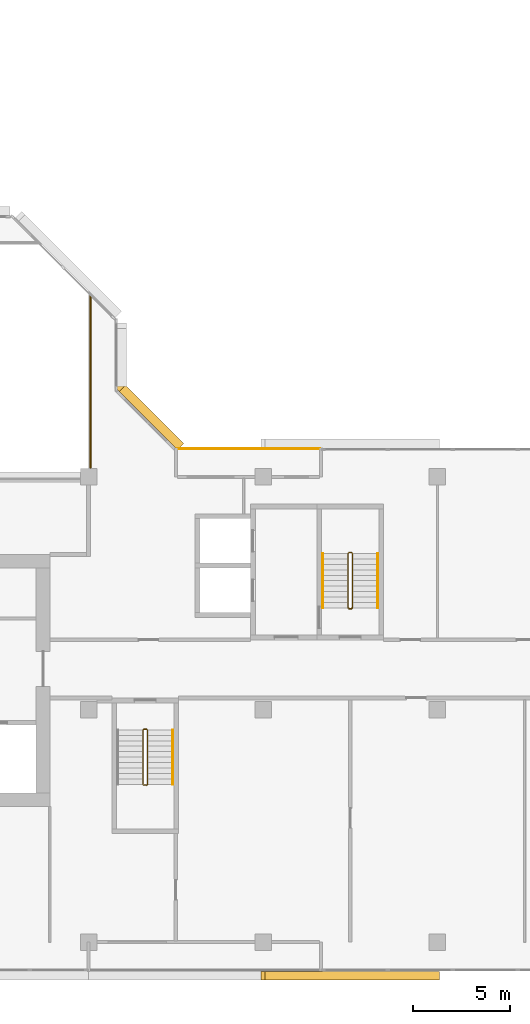
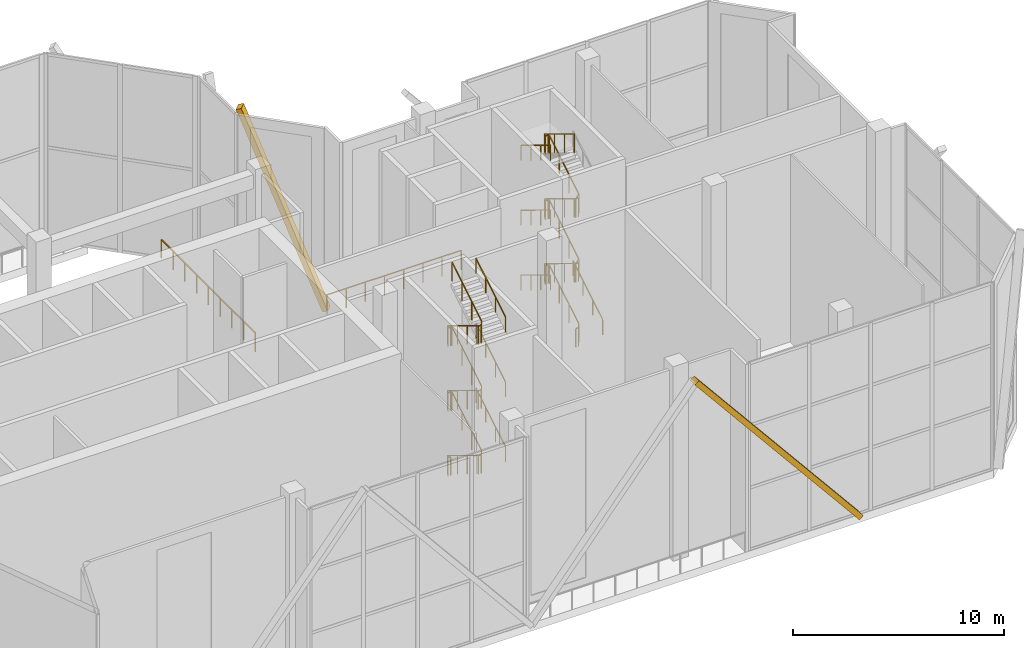
# One storey, part 16 of 18: 11 railings, 2 coverings.
"""IFC4 building model written with IfcOpenShell, lengths in metres."""

from ifc_helpers import new_model, si_unit, direction, frame, origin, origin_2d, place, context, subcontext, project, spatial, rectangle, extrude, material, material_profile, profile_set, type_object, element, save


model = new_model("IFC4")

# Units and contexts
model_context = context("Model", 3, precision=1e-05, world=origin(), true_north=direction((0.0, 1.0)))
body_context = subcontext(model_context, "Body", "Model", "MODEL_VIEW")
ifc_project = project(units=[si_unit("LENGTHUNIT", "METRE"), si_unit("AREAUNIT", "SQUARE_METRE"), si_unit("VOLUMEUNIT", "CUBIC_METRE"), si_unit("PLANEANGLEUNIT", "RADIAN"), si_unit("MASSUNIT", "GRAM", prefix="KILO")], contexts=[model_context])

# Site, building, storey
site_placement = place(None, origin())
site = spatial("IfcSite", under=ifc_project, at=site_placement, CompositionType="ELEMENT")
building_placement = place(site_placement, origin())
building = spatial("IfcBuilding", under=site, at=building_placement, Name="Chenar Terraces", CompositionType="ELEMENT")
storey_placement = place(building_placement, frame((0.0, 0.0, 262.14990234375)))
storey = spatial("IfcBuildingStorey", under=building, at=storey_placement, Name="L62", CompositionType="ELEMENT", Elevation=262.14990234375)

# Railings
ifc_material_1 = material(Name="Powder-coated steel", Category="steel")
railing_type_1 = type_object("IfcRailingType", Name="Guard 1100 steel rail with glass infill", PredefinedType="GUARDRAIL", material=ifc_material_1)
railing_1_placement = place(storey_placement, frame((36.10009765625, 24.47509765625, 0.0)))
element("IfcRailing", 1, at=railing_1_placement, inside=storey, type_object=railing_type_1, Name="Guard L62-3", PredefinedType="GUARDRAIL", context=body_context, shape_type="SweptSolid", body=[
    extrude(rectangle(XDim=0.06005859375, YDim=0.06005859375, at=origin_2d()), frame((0.0, 0.0, 1.070068359375), z_axis=(0.0, 1.0, 0.0), x_axis=(-1.0, 0.0, 0.0)), (0.0, 0.0, 1.0), 8.9248046875),
    extrude(rectangle(XDim=0.050048828125, YDim=0.050048828125, at=origin_2d()), origin(), (0.0, 0.0, 1.0), 1.0400390625),
    extrude(rectangle(XDim=0.050048828125, YDim=0.050048828125, at=origin_2d()), frame((0.0, 1.11572265625, 0.0)), (0.0, 0.0, 1.0), 1.0400390625),
    extrude(rectangle(XDim=0.050048828125, YDim=0.050048828125, at=origin_2d()), frame((0.0, 2.231201171875, 0.0)), (0.0, 0.0, 1.0), 1.0400390625),
    extrude(rectangle(XDim=0.050048828125, YDim=0.050048828125, at=origin_2d()), frame((0.0, 3.3466796875, 0.0)), (0.0, 0.0, 1.0), 1.0400390625),
    extrude(rectangle(XDim=0.050048828125, YDim=0.050048828125, at=origin_2d()), frame((0.0, 4.46240234375, 0.0)), (0.0, 0.0, 1.0), 1.0400390625),
    extrude(rectangle(XDim=0.050048828125, YDim=0.050048828125, at=origin_2d()), frame((0.0, 5.578125, 0.0)), (0.0, 0.0, 1.0), 1.0400390625),
    extrude(rectangle(XDim=0.050048828125, YDim=0.050048828125, at=origin_2d()), frame((0.0, 6.693603515625, 0.0)), (0.0, 0.0, 1.0), 1.0400390625),
    extrude(rectangle(XDim=0.050048828125, YDim=0.050048828125, at=origin_2d()), frame((0.0, 7.80908203125, 0.0)), (0.0, 0.0, 1.0), 1.0400390625),
    extrude(rectangle(XDim=0.050048828125, YDim=0.050048828125, at=origin_2d()), frame((0.0, 8.9248046875, 0.0)), (0.0, 0.0, 1.0), 1.0400390625),
])
ifc_material_2 = material(Name="Stainless steel and glass", Category="steel")
railing_type_2 = type_object("IfcRailingType", Name="Loggia guard 1150", PredefinedType="GUARDRAIL", material=ifc_material_2)
railing_2_placement = place(storey_placement, frame((47.925048828125, 25.449951171875, 0.0)))
element("IfcRailing", 2, at=railing_2_placement, inside=storey, type_object=railing_type_2, Name="Loggia guard", PredefinedType="GUARDRAIL", context=body_context, shape_type="SweptSolid", body=[
    extrude(rectangle(XDim=0.048095703125, YDim=0.048095703125, at=origin_2d()), frame((0.0, 0.0, 1.1259765625), z_axis=(-1.0, 0.0, 0.0), x_axis=(0.0, -1.0, 0.0)), (0.0, 0.0, 1.0), 7.35009765625),
    extrude(rectangle(XDim=0.0419921875, YDim=0.0419921875, at=origin_2d()), origin(), (0.0, 0.0, 1.0), 1.101806640625),
    extrude(rectangle(XDim=0.0419921875, YDim=0.0419921875, at=origin_2d()), frame((-1.050048828125, 0.0, 0.0)), (0.0, 0.0, 1.0), 1.101806640625),
    extrude(rectangle(XDim=0.0419921875, YDim=0.0419921875, at=origin_2d()), frame((-2.10009765625, 0.0, 0.0)), (0.0, 0.0, 1.0), 1.101806640625),
    extrude(rectangle(XDim=0.0419921875, YDim=0.0419921875, at=origin_2d()), frame((-3.150146484375, 0.0, 0.0)), (0.0, 0.0, 1.0), 1.101806640625),
    extrude(rectangle(XDim=0.0419921875, YDim=0.0419921875, at=origin_2d()), frame((-4.199951171875, 0.0, 0.0)), (0.0, 0.0, 1.0), 1.101806640625),
    extrude(rectangle(XDim=0.0419921875, YDim=0.0419921875, at=origin_2d()), frame((-5.25, 0.0, 0.0)), (0.0, 0.0, 1.0), 1.101806640625),
    extrude(rectangle(XDim=0.0419921875, YDim=0.0419921875, at=origin_2d()), frame((-6.300048828125, 0.0, 0.0)), (0.0, 0.0, 1.0), 1.101806640625),
    extrude(rectangle(XDim=0.0419921875, YDim=0.0419921875, at=origin_2d()), frame((-7.35009765625, 0.0, 0.0)), (0.0, 0.0, 1.0), 1.101806640625),
])
ifc_material_3 = material(Name="Powder-coated steel", Category="steel")
railing_type_3 = type_object("IfcRailingType", Name="Stair guard 1100", PredefinedType="GUARDRAIL", material=ifc_material_3)
railing_3_placement = place(storey_placement, frame((39.050048828125, 10.949951171875, 11.25)))
element("IfcRailing", 3, at=railing_3_placement, inside=storey, type_object=railing_type_3, Name="L62 ST2 stair guard 1", PredefinedType="GUARDRAIL", context=body_context, shape_type="SweptSolid", body=[
    extrude(rectangle(XDim=0.048095703125, YDim=0.048095703125, at=origin_2d()), frame((0.0, 0.0, 1.076171875), z_axis=(0.0, -0.854202870247, -0.519939858505), x_axis=(1.0, 0.0, 0.0)), (0.0, 0.0, 1.0), 3.278076171875),
    extrude(rectangle(XDim=0.048095703125, YDim=0.048095703125, at=origin_2d()), frame((0.0, -2.800048828125, -0.62841796875), z_axis=(-0.270996696079, -0.269674760976, -0.924032636873), x_axis=(0.705375805398, -0.708833529934, 0.0)), (0.0, 0.0, 1.0), 0.1845703125),
    extrude(rectangle(XDim=0.048095703125, YDim=0.048095703125, at=origin_2d()), frame((-0.050048828125, -2.849853515625, -0.798828125), z_axis=(-1.0, 0.0, 0.0), x_axis=(0.0, -1.0, 0.0)), (0.0, 0.0, 1.0), 0.14990234375),
    extrude(rectangle(XDim=0.048095703125, YDim=0.048095703125, at=origin_2d()), frame((-0.199951171875, -2.849853515625, -0.798828125), z_axis=(-0.708833529934, 0.705375805398, 0.0), x_axis=(-0.705375805398, -0.708833529934, 0.0)), (0.0, 0.0, 1.0), 0.070556640625),
    extrude(rectangle(XDim=0.048095703125, YDim=0.048095703125, at=origin_2d()), frame((-0.25, -2.800048828125, -0.798828125), z_axis=(0.0, 0.854202870247, -0.519939858505), x_axis=(-1.0, 0.0, 0.0)), (0.0, 0.0, 1.0), 3.278076171875),
    extrude(rectangle(XDim=0.048095703125, YDim=0.048095703125, at=origin_2d()), frame((-0.25, 0.0, -2.50341796875), z_axis=(0.747209590826, 0.187030483662, -0.637728332097), x_axis=(-0.242814311512, 0.970072785993, 0.0)), (0.0, 0.0, 1.0), 0.267578125),
    extrude(rectangle(XDim=0.048095703125, YDim=0.048095703125, at=origin_2d()), frame((-0.050048828125, 0.050048828125, -2.673828125), z_axis=(-1.0, 0.0, 0.0), x_axis=(0.0, -1.0, 0.0)), (0.0, 0.0, 1.0), 0.14990234375),
    extrude(rectangle(XDim=0.048095703125, YDim=0.048095703125, at=origin_2d()), frame((-0.199951171875, 0.050048828125, -2.673828125), z_axis=(0.970072785993, -0.242814311512, 0.0), x_axis=(0.242814311512, 0.970072785993, 0.0)), (0.0, 0.0, 1.0), 0.2060546875),
    extrude(rectangle(XDim=0.048095703125, YDim=0.048095703125, at=origin_2d()), frame((0.0, 0.0, -2.673828125), z_axis=(0.0, -0.854202870247, -0.519939858505), x_axis=(1.0, 0.0, 0.0)), (0.0, 0.0, 1.0), 3.278076171875),
    extrude(rectangle(XDim=0.048095703125, YDim=0.048095703125, at=origin_2d()), frame((0.0, -2.800048828125, -4.37841796875), z_axis=(-0.270996696079, -0.269674760976, -0.924032636873), x_axis=(0.705375805398, -0.708833529934, 0.0)), (0.0, 0.0, 1.0), 0.1845703125),
    extrude(rectangle(XDim=0.048095703125, YDim=0.048095703125, at=origin_2d()), frame((-0.050048828125, -2.849853515625, -4.548828125), z_axis=(-1.0, 0.0, 0.0), x_axis=(0.0, -1.0, 0.0)), (0.0, 0.0, 1.0), 0.14990234375),
    extrude(rectangle(XDim=0.048095703125, YDim=0.048095703125, at=origin_2d()), frame((-0.199951171875, -2.849853515625, -4.548828125), z_axis=(-0.708833529934, 0.705375805398, 0.0), x_axis=(-0.705375805398, -0.708833529934, 0.0)), (0.0, 0.0, 1.0), 0.070556640625),
    extrude(rectangle(XDim=0.048095703125, YDim=0.048095703125, at=origin_2d()), frame((-0.25, -2.800048828125, -4.548828125), z_axis=(0.0, 0.854202870247, -0.519939858505), x_axis=(-1.0, 0.0, 0.0)), (0.0, 0.0, 1.0), 3.278076171875),
    extrude(rectangle(XDim=0.048095703125, YDim=0.048095703125, at=origin_2d()), frame((-0.25, 0.0, -6.25341796875), z_axis=(0.747209590826, 0.187030483662, -0.637728332097), x_axis=(-0.242814311512, 0.970072785993, 0.0)), (0.0, 0.0, 1.0), 0.267578125),
    extrude(rectangle(XDim=0.048095703125, YDim=0.048095703125, at=origin_2d()), frame((-0.050048828125, 0.050048828125, -6.423828125), z_axis=(-1.0, 0.0, 0.0), x_axis=(0.0, -1.0, 0.0)), (0.0, 0.0, 1.0), 0.14990234375),
    extrude(rectangle(XDim=0.048095703125, YDim=0.048095703125, at=origin_2d()), frame((-0.199951171875, 0.050048828125, -6.423828125), z_axis=(0.970072785993, -0.242814311512, 0.0), x_axis=(0.242814311512, 0.970072785993, 0.0)), (0.0, 0.0, 1.0), 0.2060546875),
    extrude(rectangle(XDim=0.048095703125, YDim=0.048095703125, at=origin_2d()), frame((0.0, 0.0, -6.423828125), z_axis=(0.0, -0.854202870247, -0.519939858505), x_axis=(1.0, 0.0, 0.0)), (0.0, 0.0, 1.0), 3.278076171875),
    extrude(rectangle(XDim=0.048095703125, YDim=0.048095703125, at=origin_2d()), frame((0.0, -2.800048828125, -8.12841796875), z_axis=(-0.270996696079, -0.269674760976, -0.924032636873), x_axis=(0.705375805398, -0.708833529934, 0.0)), (0.0, 0.0, 1.0), 0.1845703125),
    extrude(rectangle(XDim=0.048095703125, YDim=0.048095703125, at=origin_2d()), frame((-0.050048828125, -2.849853515625, -8.298828125), z_axis=(-1.0, 0.0, 0.0), x_axis=(0.0, -1.0, 0.0)), (0.0, 0.0, 1.0), 0.14990234375),
    extrude(rectangle(XDim=0.048095703125, YDim=0.048095703125, at=origin_2d()), frame((-0.199951171875, -2.849853515625, -8.298828125), z_axis=(-0.708833529934, 0.705375805398, 0.0), x_axis=(-0.705375805398, -0.708833529934, 0.0)), (0.0, 0.0, 1.0), 0.070556640625),
    extrude(rectangle(XDim=0.048095703125, YDim=0.048095703125, at=origin_2d()), frame((-0.25, -2.800048828125, -8.298828125), z_axis=(0.0, 0.854202870247, -0.519939858505), x_axis=(-1.0, 0.0, 0.0)), (0.0, 0.0, 1.0), 3.278076171875),
    extrude(rectangle(XDim=0.048095703125, YDim=0.048095703125, at=origin_2d()), frame((-0.25, 0.0, -10.00341796875), z_axis=(0.270899902878, 0.270899902878, -0.923702595667), x_axis=(-0.707106781187, 0.707106781187, 0.0)), (0.0, 0.0, 1.0), 0.184814453125),
    extrude(rectangle(XDim=0.048095703125, YDim=0.048095703125, at=origin_2d()), frame((-0.199951171875, 0.050048828125, -10.173828125), z_axis=(1.0, 0.0, 0.0), x_axis=(0.0, 1.0, 0.0)), (0.0, 0.0, 1.0), 0.14990234375),
    extrude(rectangle(XDim=0.0419921875, YDim=0.0419921875, at=origin_2d()), origin(), (0.0, 0.0, 1.0), 1.052001953125),
    extrude(rectangle(XDim=0.0419921875, YDim=0.0419921875, at=origin_2d()), frame((0.0, -0.933349609375, -0.568115234375)), (0.0, 0.0, 1.0), 1.052001953125),
    extrude(rectangle(XDim=0.0419921875, YDim=0.0419921875, at=origin_2d()), frame((0.0, -1.86669921875, -1.13623046875)), (0.0, 0.0, 1.0), 1.052001953125),
    extrude(rectangle(XDim=0.0419921875, YDim=0.0419921875, at=origin_2d()), frame((0.0, -2.800048828125, -1.704345703125)), (0.0, 0.0, 1.0), 1.052001953125),
    extrude(rectangle(XDim=0.0419921875, YDim=0.0419921875, at=origin_2d()), frame((-0.050048828125, -2.849853515625, -1.875)), (0.0, 0.0, 1.0), 1.052001953125),
    extrude(rectangle(XDim=0.0419921875, YDim=0.0419921875, at=origin_2d()), frame((-0.199951171875, -2.849853515625, -1.875)), (0.0, 0.0, 1.0), 1.052001953125),
    extrude(rectangle(XDim=0.0419921875, YDim=0.0419921875, at=origin_2d()), frame((-0.25, -2.800048828125, -1.875)), (0.0, 0.0, 1.0), 1.052001953125),
    extrude(rectangle(XDim=0.0419921875, YDim=0.0419921875, at=origin_2d()), frame((-0.25, -1.86669921875, -2.443115234375)), (0.0, 0.0, 1.0), 1.052001953125),
    extrude(rectangle(XDim=0.0419921875, YDim=0.0419921875, at=origin_2d()), frame((-0.25, -0.933349609375, -3.01123046875)), (0.0, 0.0, 1.0), 1.052001953125),
    extrude(rectangle(XDim=0.0419921875, YDim=0.0419921875, at=origin_2d()), frame((-0.25, 0.0, -3.579345703125)), (0.0, 0.0, 1.0), 1.052001953125),
    extrude(rectangle(XDim=0.0419921875, YDim=0.0419921875, at=origin_2d()), frame((-0.050048828125, 0.050048828125, -3.75)), (0.0, 0.0, 1.0), 1.052001953125),
    extrude(rectangle(XDim=0.0419921875, YDim=0.0419921875, at=origin_2d()), frame((-0.199951171875, 0.050048828125, -3.75)), (0.0, 0.0, 1.0), 1.052001953125),
    extrude(rectangle(XDim=0.0419921875, YDim=0.0419921875, at=origin_2d()), frame((0.0, 0.0, -3.75)), (0.0, 0.0, 1.0), 1.052001953125),
    extrude(rectangle(XDim=0.0419921875, YDim=0.0419921875, at=origin_2d()), frame((0.0, -0.933349609375, -4.318115234375)), (0.0, 0.0, 1.0), 1.052001953125),
    extrude(rectangle(XDim=0.0419921875, YDim=0.0419921875, at=origin_2d()), frame((0.0, -1.86669921875, -4.88623046875)), (0.0, 0.0, 1.0), 1.052001953125),
    extrude(rectangle(XDim=0.0419921875, YDim=0.0419921875, at=origin_2d()), frame((0.0, -2.800048828125, -5.454345703125)), (0.0, 0.0, 1.0), 1.052001953125),
    extrude(rectangle(XDim=0.0419921875, YDim=0.0419921875, at=origin_2d()), frame((-0.050048828125, -2.849853515625, -5.625)), (0.0, 0.0, 1.0), 1.052001953125),
    extrude(rectangle(XDim=0.0419921875, YDim=0.0419921875, at=origin_2d()), frame((-0.199951171875, -2.849853515625, -5.625)), (0.0, 0.0, 1.0), 1.052001953125),
    extrude(rectangle(XDim=0.0419921875, YDim=0.0419921875, at=origin_2d()), frame((-0.25, -2.800048828125, -5.625)), (0.0, 0.0, 1.0), 1.052001953125),
    extrude(rectangle(XDim=0.0419921875, YDim=0.0419921875, at=origin_2d()), frame((-0.25, -1.86669921875, -6.193115234375)), (0.0, 0.0, 1.0), 1.052001953125),
    extrude(rectangle(XDim=0.0419921875, YDim=0.0419921875, at=origin_2d()), frame((-0.25, -0.933349609375, -6.76123046875)), (0.0, 0.0, 1.0), 1.052001953125),
    extrude(rectangle(XDim=0.0419921875, YDim=0.0419921875, at=origin_2d()), frame((-0.25, 0.0, -7.329345703125)), (0.0, 0.0, 1.0), 1.052001953125),
    extrude(rectangle(XDim=0.0419921875, YDim=0.0419921875, at=origin_2d()), frame((-0.050048828125, 0.050048828125, -7.5)), (0.0, 0.0, 1.0), 1.052001953125),
    extrude(rectangle(XDim=0.0419921875, YDim=0.0419921875, at=origin_2d()), frame((-0.199951171875, 0.050048828125, -7.5)), (0.0, 0.0, 1.0), 1.052001953125),
    extrude(rectangle(XDim=0.0419921875, YDim=0.0419921875, at=origin_2d()), frame((0.0, 0.0, -7.5)), (0.0, 0.0, 1.0), 1.052001953125),
    extrude(rectangle(XDim=0.0419921875, YDim=0.0419921875, at=origin_2d()), frame((0.0, -0.933349609375, -8.068115234375)), (0.0, 0.0, 1.0), 1.052001953125),
    extrude(rectangle(XDim=0.0419921875, YDim=0.0419921875, at=origin_2d()), frame((0.0, -1.86669921875, -8.63623046875)), (0.0, 0.0, 1.0), 1.052001953125),
    extrude(rectangle(XDim=0.0419921875, YDim=0.0419921875, at=origin_2d()), frame((0.0, -2.800048828125, -9.204345703125)), (0.0, 0.0, 1.0), 1.052001953125),
    extrude(rectangle(XDim=0.0419921875, YDim=0.0419921875, at=origin_2d()), frame((-0.050048828125, -2.849853515625, -9.375)), (0.0, 0.0, 1.0), 1.052001953125),
    extrude(rectangle(XDim=0.0419921875, YDim=0.0419921875, at=origin_2d()), frame((-0.199951171875, -2.849853515625, -9.375)), (0.0, 0.0, 1.0), 1.052001953125),
    extrude(rectangle(XDim=0.0419921875, YDim=0.0419921875, at=origin_2d()), frame((-0.25, -2.800048828125, -9.375)), (0.0, 0.0, 1.0), 1.052001953125),
    extrude(rectangle(XDim=0.0419921875, YDim=0.0419921875, at=origin_2d()), frame((-0.25, -1.86669921875, -9.943115234375)), (0.0, 0.0, 1.0), 1.052001953125),
    extrude(rectangle(XDim=0.0419921875, YDim=0.0419921875, at=origin_2d()), frame((-0.25, -0.933349609375, -10.51123046875)), (0.0, 0.0, 1.0), 1.052001953125),
    extrude(rectangle(XDim=0.0419921875, YDim=0.0419921875, at=origin_2d()), frame((-0.25, 0.0, -11.079345703125)), (0.0, 0.0, 1.0), 1.052001953125),
    extrude(rectangle(XDim=0.0419921875, YDim=0.0419921875, at=origin_2d()), frame((-0.199951171875, 0.050048828125, -11.25)), (0.0, 0.0, 1.0), 1.052001953125),
    extrude(rectangle(XDim=0.0419921875, YDim=0.0419921875, at=origin_2d()), frame((-0.050048828125, 0.050048828125, -11.25)), (0.0, 0.0, 1.0), 1.052001953125),
])
railing_4_placement = place(storey_placement, frame((49.375, 17.25, 11.25)))
element("IfcRailing", 4, at=railing_4_placement, inside=storey, type_object=railing_type_3, Name="L62 ST3 stair guard 1", PredefinedType="GUARDRAIL", context=body_context, shape_type="SweptSolid", body=[
    extrude(rectangle(XDim=0.048095703125, YDim=0.048095703125, at=origin_2d()), frame((0.0, 0.0, 1.076171875), z_axis=(0.0, 0.854202870247, -0.519939858505), x_axis=(-1.0, 0.0, 0.0)), (0.0, 0.0, 1.0), 3.278076171875),
    extrude(rectangle(XDim=0.048095703125, YDim=0.048095703125, at=origin_2d()), frame((0.0, 2.800048828125, -0.62841796875), z_axis=(0.270899902878, 0.270899902878, -0.923702595667), x_axis=(-0.707106781187, 0.707106781187, 0.0)), (0.0, 0.0, 1.0), 0.184814453125),
    extrude(rectangle(XDim=0.048095703125, YDim=0.048095703125, at=origin_2d()), frame((0.050048828125, 2.85009765625, -0.798828125), z_axis=(1.0, 0.0, 0.0), x_axis=(0.0, 1.0, 0.0)), (0.0, 0.0, 1.0), 0.14990234375),
    extrude(rectangle(XDim=0.048095703125, YDim=0.048095703125, at=origin_2d()), frame((0.199951171875, 2.85009765625, -0.798828125), z_axis=(0.707106781187, -0.707106781187, 0.0), x_axis=(0.707106781187, 0.707106781187, 0.0)), (0.0, 0.0, 1.0), 0.07080078125),
    extrude(rectangle(XDim=0.048095703125, YDim=0.048095703125, at=origin_2d()), frame((0.25, 2.800048828125, -0.798828125), z_axis=(0.0, -0.854202870247, -0.519939858505), x_axis=(1.0, 0.0, 0.0)), (0.0, 0.0, 1.0), 3.278076171875),
    extrude(rectangle(XDim=0.048095703125, YDim=0.048095703125, at=origin_2d()), frame((0.25, 0.0, -2.50341796875), z_axis=(-0.747209590826, -0.187030483662, -0.637728332097), x_axis=(0.242814311512, -0.970072785993, 0.0)), (0.0, 0.0, 1.0), 0.267578125),
    extrude(rectangle(XDim=0.048095703125, YDim=0.048095703125, at=origin_2d()), frame((0.050048828125, -0.050048828125, -2.673828125), z_axis=(1.0, 0.0, 0.0), x_axis=(0.0, 1.0, 0.0)), (0.0, 0.0, 1.0), 0.14990234375),
    extrude(rectangle(XDim=0.048095703125, YDim=0.048095703125, at=origin_2d()), frame((0.199951171875, -0.050048828125, -2.673828125), z_axis=(-0.970072785993, 0.242814311512, 0.0), x_axis=(-0.242814311512, -0.970072785993, 0.0)), (0.0, 0.0, 1.0), 0.2060546875),
    extrude(rectangle(XDim=0.048095703125, YDim=0.048095703125, at=origin_2d()), frame((0.0, 0.0, -2.673828125), z_axis=(0.0, 0.854202870247, -0.519939858505), x_axis=(-1.0, 0.0, 0.0)), (0.0, 0.0, 1.0), 3.278076171875),
    extrude(rectangle(XDim=0.048095703125, YDim=0.048095703125, at=origin_2d()), frame((0.0, 2.800048828125, -4.37841796875), z_axis=(0.270899902878, 0.270899902878, -0.923702595667), x_axis=(-0.707106781187, 0.707106781187, 0.0)), (0.0, 0.0, 1.0), 0.184814453125),
    extrude(rectangle(XDim=0.048095703125, YDim=0.048095703125, at=origin_2d()), frame((0.050048828125, 2.85009765625, -4.548828125), z_axis=(1.0, 0.0, 0.0), x_axis=(0.0, 1.0, 0.0)), (0.0, 0.0, 1.0), 0.14990234375),
    extrude(rectangle(XDim=0.048095703125, YDim=0.048095703125, at=origin_2d()), frame((0.199951171875, 2.85009765625, -4.548828125), z_axis=(0.707106781187, -0.707106781187, 0.0), x_axis=(0.707106781187, 0.707106781187, 0.0)), (0.0, 0.0, 1.0), 0.07080078125),
    extrude(rectangle(XDim=0.048095703125, YDim=0.048095703125, at=origin_2d()), frame((0.25, 2.800048828125, -4.548828125), z_axis=(0.0, -0.854202870247, -0.519939858505), x_axis=(1.0, 0.0, 0.0)), (0.0, 0.0, 1.0), 3.278076171875),
    extrude(rectangle(XDim=0.048095703125, YDim=0.048095703125, at=origin_2d()), frame((0.25, 0.0, -6.25341796875), z_axis=(-0.747209590826, -0.187030483662, -0.637728332097), x_axis=(0.242814311512, -0.970072785993, 0.0)), (0.0, 0.0, 1.0), 0.267578125),
    extrude(rectangle(XDim=0.048095703125, YDim=0.048095703125, at=origin_2d()), frame((0.050048828125, -0.050048828125, -6.423828125), z_axis=(1.0, 0.0, 0.0), x_axis=(0.0, 1.0, 0.0)), (0.0, 0.0, 1.0), 0.14990234375),
    extrude(rectangle(XDim=0.048095703125, YDim=0.048095703125, at=origin_2d()), frame((0.199951171875, -0.050048828125, -6.423828125), z_axis=(-0.970072785993, 0.242814311512, 0.0), x_axis=(-0.242814311512, -0.970072785993, 0.0)), (0.0, 0.0, 1.0), 0.2060546875),
    extrude(rectangle(XDim=0.048095703125, YDim=0.048095703125, at=origin_2d()), frame((0.0, 0.0, -6.423828125), z_axis=(0.0, 0.854202870247, -0.519939858505), x_axis=(-1.0, 0.0, 0.0)), (0.0, 0.0, 1.0), 3.278076171875),
    extrude(rectangle(XDim=0.048095703125, YDim=0.048095703125, at=origin_2d()), frame((0.0, 2.800048828125, -8.12841796875), z_axis=(0.270899902878, 0.270899902878, -0.923702595667), x_axis=(-0.707106781187, 0.707106781187, 0.0)), (0.0, 0.0, 1.0), 0.184814453125),
    extrude(rectangle(XDim=0.048095703125, YDim=0.048095703125, at=origin_2d()), frame((0.050048828125, 2.85009765625, -8.298828125), z_axis=(1.0, 0.0, 0.0), x_axis=(0.0, 1.0, 0.0)), (0.0, 0.0, 1.0), 0.14990234375),
    extrude(rectangle(XDim=0.048095703125, YDim=0.048095703125, at=origin_2d()), frame((0.199951171875, 2.85009765625, -8.298828125), z_axis=(0.707106781187, -0.707106781187, 0.0), x_axis=(0.707106781187, 0.707106781187, 0.0)), (0.0, 0.0, 1.0), 0.07080078125),
    extrude(rectangle(XDim=0.048095703125, YDim=0.048095703125, at=origin_2d()), frame((0.25, 2.800048828125, -8.298828125), z_axis=(0.0, -0.854202870247, -0.519939858505), x_axis=(1.0, 0.0, 0.0)), (0.0, 0.0, 1.0), 3.278076171875),
    extrude(rectangle(XDim=0.048095703125, YDim=0.048095703125, at=origin_2d()), frame((0.25, 0.0, -10.00341796875), z_axis=(-0.270899902878, -0.270899902878, -0.923702595667), x_axis=(0.707106781187, -0.707106781187, 0.0)), (0.0, 0.0, 1.0), 0.184814453125),
    extrude(rectangle(XDim=0.048095703125, YDim=0.048095703125, at=origin_2d()), frame((0.199951171875, -0.050048828125, -10.173828125), z_axis=(-1.0, 0.0, 0.0), x_axis=(0.0, -1.0, 0.0)), (0.0, 0.0, 1.0), 0.14990234375),
    extrude(rectangle(XDim=0.0419921875, YDim=0.0419921875, at=origin_2d()), origin(), (0.0, 0.0, 1.0), 1.052001953125),
    extrude(rectangle(XDim=0.0419921875, YDim=0.0419921875, at=origin_2d()), frame((0.0, 0.933349609375, -0.568115234375)), (0.0, 0.0, 1.0), 1.052001953125),
    extrude(rectangle(XDim=0.0419921875, YDim=0.0419921875, at=origin_2d()), frame((0.0, 1.86669921875, -1.13623046875)), (0.0, 0.0, 1.0), 1.052001953125),
    extrude(rectangle(XDim=0.0419921875, YDim=0.0419921875, at=origin_2d()), frame((0.0, 2.800048828125, -1.704345703125)), (0.0, 0.0, 1.0), 1.052001953125),
    extrude(rectangle(XDim=0.0419921875, YDim=0.0419921875, at=origin_2d()), frame((0.050048828125, 2.85009765625, -1.875)), (0.0, 0.0, 1.0), 1.052001953125),
    extrude(rectangle(XDim=0.0419921875, YDim=0.0419921875, at=origin_2d()), frame((0.199951171875, 2.85009765625, -1.875)), (0.0, 0.0, 1.0), 1.052001953125),
    extrude(rectangle(XDim=0.0419921875, YDim=0.0419921875, at=origin_2d()), frame((0.25, 2.800048828125, -1.875)), (0.0, 0.0, 1.0), 1.052001953125),
    extrude(rectangle(XDim=0.0419921875, YDim=0.0419921875, at=origin_2d()), frame((0.25, 1.86669921875, -2.443115234375)), (0.0, 0.0, 1.0), 1.052001953125),
    extrude(rectangle(XDim=0.0419921875, YDim=0.0419921875, at=origin_2d()), frame((0.25, 0.933349609375, -3.01123046875)), (0.0, 0.0, 1.0), 1.052001953125),
    extrude(rectangle(XDim=0.0419921875, YDim=0.0419921875, at=origin_2d()), frame((0.25, 0.0, -3.579345703125)), (0.0, 0.0, 1.0), 1.052001953125),
    extrude(rectangle(XDim=0.0419921875, YDim=0.0419921875, at=origin_2d()), frame((0.050048828125, -0.050048828125, -3.75)), (0.0, 0.0, 1.0), 1.052001953125),
    extrude(rectangle(XDim=0.0419921875, YDim=0.0419921875, at=origin_2d()), frame((0.199951171875, -0.050048828125, -3.75)), (0.0, 0.0, 1.0), 1.052001953125),
    extrude(rectangle(XDim=0.0419921875, YDim=0.0419921875, at=origin_2d()), frame((0.0, 0.0, -3.75)), (0.0, 0.0, 1.0), 1.052001953125),
    extrude(rectangle(XDim=0.0419921875, YDim=0.0419921875, at=origin_2d()), frame((0.0, 0.933349609375, -4.318115234375)), (0.0, 0.0, 1.0), 1.052001953125),
    extrude(rectangle(XDim=0.0419921875, YDim=0.0419921875, at=origin_2d()), frame((0.0, 1.86669921875, -4.88623046875)), (0.0, 0.0, 1.0), 1.052001953125),
    extrude(rectangle(XDim=0.0419921875, YDim=0.0419921875, at=origin_2d()), frame((0.0, 2.800048828125, -5.454345703125)), (0.0, 0.0, 1.0), 1.052001953125),
    extrude(rectangle(XDim=0.0419921875, YDim=0.0419921875, at=origin_2d()), frame((0.050048828125, 2.85009765625, -5.625)), (0.0, 0.0, 1.0), 1.052001953125),
    extrude(rectangle(XDim=0.0419921875, YDim=0.0419921875, at=origin_2d()), frame((0.199951171875, 2.85009765625, -5.625)), (0.0, 0.0, 1.0), 1.052001953125),
    extrude(rectangle(XDim=0.0419921875, YDim=0.0419921875, at=origin_2d()), frame((0.25, 2.800048828125, -5.625)), (0.0, 0.0, 1.0), 1.052001953125),
    extrude(rectangle(XDim=0.0419921875, YDim=0.0419921875, at=origin_2d()), frame((0.25, 1.86669921875, -6.193115234375)), (0.0, 0.0, 1.0), 1.052001953125),
    extrude(rectangle(XDim=0.0419921875, YDim=0.0419921875, at=origin_2d()), frame((0.25, 0.933349609375, -6.76123046875)), (0.0, 0.0, 1.0), 1.052001953125),
    extrude(rectangle(XDim=0.0419921875, YDim=0.0419921875, at=origin_2d()), frame((0.25, 0.0, -7.329345703125)), (0.0, 0.0, 1.0), 1.052001953125),
    extrude(rectangle(XDim=0.0419921875, YDim=0.0419921875, at=origin_2d()), frame((0.050048828125, -0.050048828125, -7.5)), (0.0, 0.0, 1.0), 1.052001953125),
    extrude(rectangle(XDim=0.0419921875, YDim=0.0419921875, at=origin_2d()), frame((0.199951171875, -0.050048828125, -7.5)), (0.0, 0.0, 1.0), 1.052001953125),
    extrude(rectangle(XDim=0.0419921875, YDim=0.0419921875, at=origin_2d()), frame((0.0, 0.0, -7.5)), (0.0, 0.0, 1.0), 1.052001953125),
    extrude(rectangle(XDim=0.0419921875, YDim=0.0419921875, at=origin_2d()), frame((0.0, 0.933349609375, -8.068115234375)), (0.0, 0.0, 1.0), 1.052001953125),
    extrude(rectangle(XDim=0.0419921875, YDim=0.0419921875, at=origin_2d()), frame((0.0, 1.86669921875, -8.63623046875)), (0.0, 0.0, 1.0), 1.052001953125),
    extrude(rectangle(XDim=0.0419921875, YDim=0.0419921875, at=origin_2d()), frame((0.0, 2.800048828125, -9.204345703125)), (0.0, 0.0, 1.0), 1.052001953125),
    extrude(rectangle(XDim=0.0419921875, YDim=0.0419921875, at=origin_2d()), frame((0.050048828125, 2.85009765625, -9.375)), (0.0, 0.0, 1.0), 1.052001953125),
    extrude(rectangle(XDim=0.0419921875, YDim=0.0419921875, at=origin_2d()), frame((0.199951171875, 2.85009765625, -9.375)), (0.0, 0.0, 1.0), 1.052001953125),
    extrude(rectangle(XDim=0.0419921875, YDim=0.0419921875, at=origin_2d()), frame((0.25, 2.800048828125, -9.375)), (0.0, 0.0, 1.0), 1.052001953125),
    extrude(rectangle(XDim=0.0419921875, YDim=0.0419921875, at=origin_2d()), frame((0.25, 1.86669921875, -9.943115234375)), (0.0, 0.0, 1.0), 1.052001953125),
    extrude(rectangle(XDim=0.0419921875, YDim=0.0419921875, at=origin_2d()), frame((0.25, 0.933349609375, -10.51123046875)), (0.0, 0.0, 1.0), 1.052001953125),
    extrude(rectangle(XDim=0.0419921875, YDim=0.0419921875, at=origin_2d()), frame((0.25, 0.0, -11.079345703125)), (0.0, 0.0, 1.0), 1.052001953125),
    extrude(rectangle(XDim=0.0419921875, YDim=0.0419921875, at=origin_2d()), frame((0.199951171875, -0.050048828125, -11.25)), (0.0, 0.0, 1.0), 1.052001953125),
    extrude(rectangle(XDim=0.0419921875, YDim=0.0419921875, at=origin_2d()), frame((0.050048828125, -0.050048828125, -11.25)), (0.0, 0.0, 1.0), 1.052001953125),
])
ifc_material_4 = material(Name="Powder-coated steel", Category="steel")
railing_type_4 = type_object("IfcRailingType", Name="Stair handrail 900", PredefinedType="HANDRAIL", material=ifc_material_4)
for number, where, name in (
    (5, (40.35009765625, 8.14990234375, 2.045654296875), "L62 ST2 stair handrail 2"),
    (6, (40.35009765625, 8.14990234375, 5.795654296875), "L62 ST2 stair handrail 4"),
    (7, (40.35009765625, 8.14990234375, 9.545654296875), "L62 ST2 stair handrail 6"),
    (8, (50.925048828125, 17.25, 0.170654296875), "L62 ST3 stair handrail 1"),
):
    element("IfcRailing", number, at=place(storey_placement, frame(where)), inside=storey, type_object=railing_type_4, Name=name, PredefinedType="HANDRAIL", context=body_context, shape_type="SweptSolid", body=[
        extrude(rectangle(XDim=0.048095703125, YDim=0.048095703125, at=origin_2d()), frame((0.0, 0.0, 0.8759765625), z_axis=(0.0, 0.854202870247, 0.519939858505), x_axis=(-1.0, 0.0, 0.0)), (0.0, 0.0, 1.0), 3.278076171875),
        extrude(rectangle(XDim=0.0419921875, YDim=0.0419921875, at=origin_2d()), origin(), (0.0, 0.0, 1.0), 0.851806640625),
        extrude(rectangle(XDim=0.0419921875, YDim=0.0419921875, at=origin_2d()), frame((0.0, 0.933349609375, 0.568115234375)), (0.0, 0.0, 1.0), 0.851806640625),
        extrude(rectangle(XDim=0.0419921875, YDim=0.0419921875, at=origin_2d()), frame((0.0, 1.86669921875, 1.13623046875)), (0.0, 0.0, 1.0), 0.851806640625),
        extrude(rectangle(XDim=0.0419921875, YDim=0.0419921875, at=origin_2d()), frame((0.0, 2.800048828125, 1.704345703125)), (0.0, 0.0, 1.0), 0.851806640625),
    ])
for number, where, name in (
    (9, (48.074951171875, 20.050048828125, 2.045654296875), "L62 ST3 stair handrail 2"),
    (10, (48.074951171875, 20.050048828125, 5.795654296875), "L62 ST3 stair handrail 4"),
    (11, (48.074951171875, 20.050048828125, 9.545654296875), "L62 ST3 stair handrail 6"),
):
    element("IfcRailing", number, at=place(storey_placement, frame(where)), inside=storey, type_object=railing_type_4, Name=name, PredefinedType="HANDRAIL", context=body_context, shape_type="SweptSolid", body=[
        extrude(rectangle(XDim=0.048095703125, YDim=0.048095703125, at=origin_2d()), frame((0.0, 0.0, 0.8759765625), z_axis=(0.0, -0.854202870247, 0.519939858505), x_axis=(1.0, 0.0, 0.0)), (0.0, 0.0, 1.0), 3.278076171875),
        extrude(rectangle(XDim=0.0419921875, YDim=0.0419921875, at=origin_2d()), origin(), (0.0, 0.0, 1.0), 0.851806640625),
        extrude(rectangle(XDim=0.0419921875, YDim=0.0419921875, at=origin_2d()), frame((0.0, -0.933349609375, 0.568115234375)), (0.0, 0.0, 1.0), 0.851806640625),
        extrude(rectangle(XDim=0.0419921875, YDim=0.0419921875, at=origin_2d()), frame((0.0, -1.86669921875, 1.13623046875)), (0.0, 0.0, 1.0), 0.851806640625),
        extrude(rectangle(XDim=0.0419921875, YDim=0.0419921875, at=origin_2d()), frame((0.0, -2.800048828125, 1.704345703125)), (0.0, 0.0, 1.0), 0.851806640625),
    ])

# Coverings
ifc_material_5 = material(Name="Terracotta", Category="masonry")
ifc_material_profile = material_profile(ifc_material_5, rectangle(XDim=0.449951171875, YDim=0.280029296875, at=origin_2d()), Name="Terracotta baguette 450 x 280")
ifc_profile_set = profile_set([ifc_material_profile], Name="Terracotta")
covering_type = type_object("IfcCoveringType", Name="Terracotta baguette 450 x 280", PredefinedType="CLADDING", material=ifc_profile_set)
covering_1_placement = place(storey_placement, frame((40.6591796875, 25.6591796875, 0.150146484375), z_axis=(-0.255468212233, 0.255468212233, 0.932454816641), x_axis=(-0.707106781187, -0.707106781187, 0.0)))
element("IfcCovering", 12, at=covering_1_placement, inside=storey, type_object=covering_type, Name="Terracotta baguette", PredefinedType="CLADDING", context=body_context, shape_type="SweptSolid", body=[
    extrude(rectangle(XDim=0.449951171875, YDim=0.280029296875, at=origin_2d()), origin(), (0.0, 0.0, 1.0), 11.7431640625),
])
covering_2_placement = place(storey_placement, frame((45.0, -1.72509765625, 11.10009765625), z_axis=(0.634966765532, 0.0, -0.772539453148), x_axis=(0.0, 1.0, 0.0)))
element("IfcCovering", 13, at=covering_2_placement, inside=storey, type_object=covering_type, Name="Terracotta baguette", PredefinedType="CLADDING", context=body_context, shape_type="SweptSolid", body=[
    extrude(rectangle(XDim=0.449951171875, YDim=0.280029296875, at=origin_2d()), origin(), (0.0, 0.0, 1.0), 14.174072265625),
])

save(model, "model.ifc")
